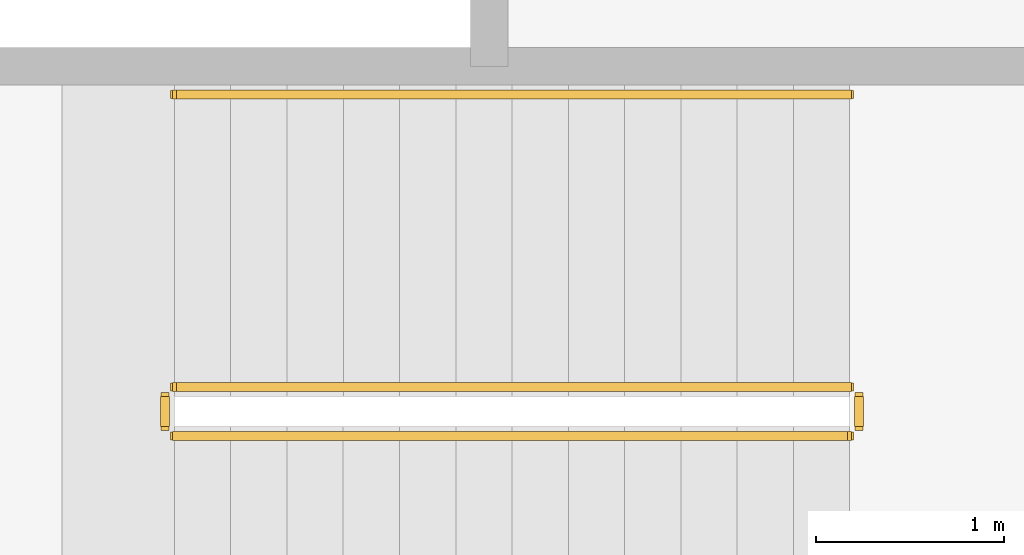
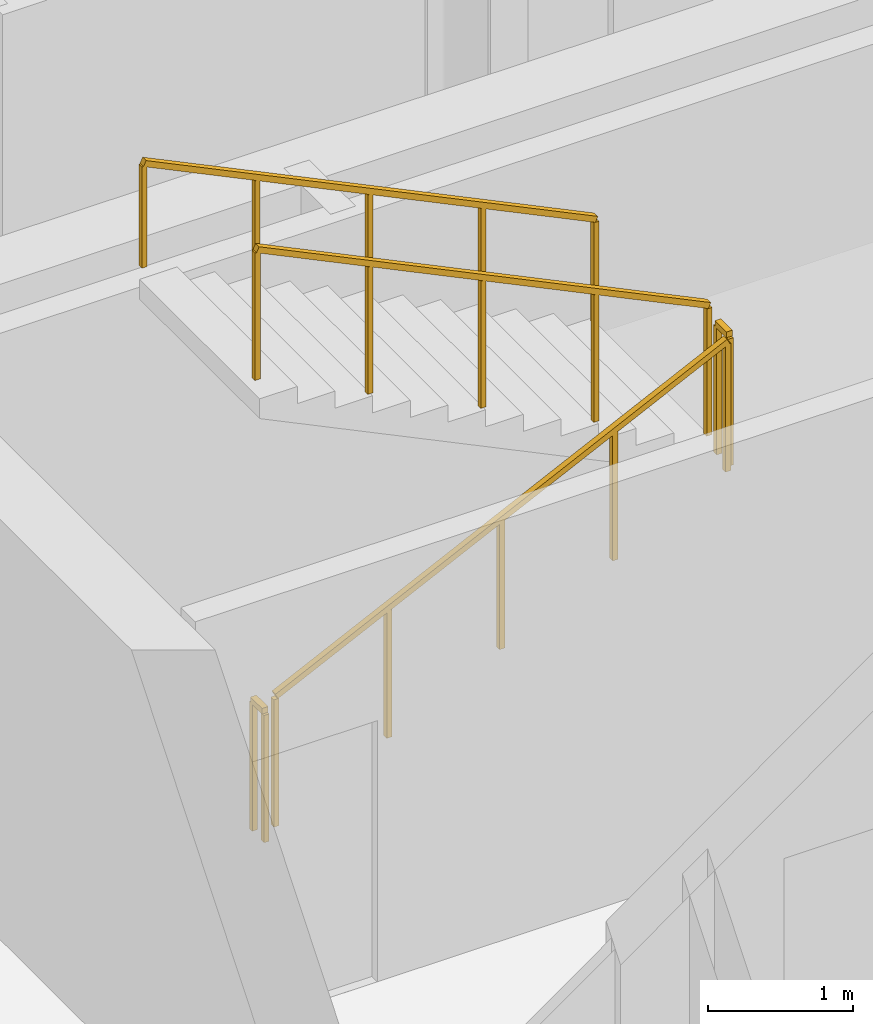
# One storey, part 26 of 28: 5 railings.
"""IFC4 building model written with IfcOpenShell, lengths in metres."""

from ifc_helpers import new_model, si_unit, direction, frame, origin, origin_2d, place, context, subcontext, project, spatial, rectangle, extrude, material, type_object, element, save


model = new_model("IFC4")

# Units and contexts
model_context = context("Model", 3, precision=1e-05, world=origin(), true_north=direction((0.0, 1.0)))
body_context = subcontext(model_context, "Body", "Model", "MODEL_VIEW")
ifc_project = project(units=[si_unit("LENGTHUNIT", "METRE"), si_unit("AREAUNIT", "SQUARE_METRE"), si_unit("VOLUMEUNIT", "CUBIC_METRE"), si_unit("PLANEANGLEUNIT", "RADIAN"), si_unit("MASSUNIT", "GRAM", prefix="KILO"), si_unit("THERMODYNAMICTEMPERATUREUNIT", "KELVIN"), si_unit("POWERUNIT", "WATT")], contexts=[model_context])

# Site, building, storey
site_placement = place(None, origin())
site = spatial("IfcSite", under=ifc_project, at=site_placement, CompositionType="ELEMENT")
building_placement = place(site_placement, origin())
building = spatial("IfcBuilding", under=site, at=building_placement, Name="Svarakhadi Broadcast Tower", CompositionType="ELEMENT")
storey_placement = place(building_placement, frame((0.0, 0.0, 169.199951171875)))
storey = spatial("IfcBuildingStorey", under=building, at=storey_placement, Name="L41", CompositionType="ELEMENT", Elevation=169.199951171875)

# Railings
ifc_material = material(Name="Anodised Bronze Aluminium AA 6063-T6", Category="aluminium")
railing_type_1 = type_object("IfcRailingType", Name="Guard_Stair_GR01", PredefinedType="GUARDRAIL", material=ifc_material)
railing_1_placement = place(storey_placement, frame((7.97998046875, 24.969970703125, 0.144287109375)))
element("IfcRailing", 1, at=railing_1_placement, inside=storey, type_object=railing_type_1, Name="L41 ST-01 stair guard 1", PredefinedType="GUARDRAIL", context=body_context, shape_type="SweptSolid", body=[
    extrude(rectangle(XDim=0.048095703125, YDim=0.048095703125, at=origin_2d()), frame((0.0, 0.0, 1.09619140625), z_axis=(0.901262522062, 0.0, 0.433273431364), x_axis=(0.0, 1.0, 0.0)), (0.0, 0.0, 1.0), 3.994384765625),
    extrude(rectangle(XDim=0.0419921875, YDim=0.0419921875, at=origin_2d()), origin(), (0.0, 0.0, 1.0), 1.072021484375),
    extrude(rectangle(XDim=0.0419921875, YDim=0.0419921875, at=origin_2d()), frame((0.89990234375, 0.0, 0.4326171875)), (0.0, 0.0, 1.0), 1.072021484375),
    extrude(rectangle(XDim=0.0419921875, YDim=0.0419921875, at=origin_2d()), frame((1.800048828125, 0.0, 0.865234375)), (0.0, 0.0, 1.0), 1.072021484375),
    extrude(rectangle(XDim=0.0419921875, YDim=0.0419921875, at=origin_2d()), frame((2.7001953125, 0.0, 1.298095703125)), (0.0, 0.0, 1.0), 1.072021484375),
    extrude(rectangle(XDim=0.0419921875, YDim=0.0419921875, at=origin_2d()), frame((3.60009765625, 0.0, 1.730712890625)), (0.0, 0.0, 1.0), 1.072021484375),
])
railing_2_placement = place(storey_placement, frame((11.6298828125, 25.02001953125, 1.875)))
element("IfcRailing", 2, at=railing_2_placement, inside=storey, type_object=railing_type_1, Name="L41 ST-01 stair guard 2", PredefinedType="GUARDRAIL", context=body_context, shape_type="SweptSolid", body=[
    extrude(rectangle(XDim=0.048095703125, YDim=0.048095703125, at=origin_2d()), frame((0.0, 0.0, 1.09619140625), z_axis=(0.0, 1.0, 0.0), x_axis=(-1.0, 0.0, 0.0)), (0.0, 0.0, 1.0), 0.159912109375),
    extrude(rectangle(XDim=0.0419921875, YDim=0.0419921875, at=origin_2d()), origin(), (0.0, 0.0, 1.0), 1.072021484375),
    extrude(rectangle(XDim=0.0419921875, YDim=0.0419921875, at=origin_2d()), frame((0.0, 0.159912109375, 0.0)), (0.0, 0.0, 1.0), 1.072021484375),
])
railing_3_placement = place(storey_placement, frame((11.580078125, 25.22998046875, 2.019287109375)))
element("IfcRailing", 3, at=railing_3_placement, inside=storey, type_object=railing_type_1, Name="L41 ST-01 stair guard 3", PredefinedType="GUARDRAIL", context=body_context, shape_type="SweptSolid", body=[
    extrude(rectangle(XDim=0.048095703125, YDim=0.048095703125, at=origin_2d()), frame((0.0, 0.0, 1.09619140625), z_axis=(-0.901262522062, 0.0, 0.433273431364), x_axis=(0.0, -1.0, 0.0)), (0.0, 0.0, 1.0), 3.994384765625),
    extrude(rectangle(XDim=0.0419921875, YDim=0.0419921875, at=origin_2d()), origin(), (0.0, 0.0, 1.0), 1.072021484375),
    extrude(rectangle(XDim=0.0419921875, YDim=0.0419921875, at=origin_2d()), frame((-0.89990234375, 0.0, 0.4326171875)), (0.0, 0.0, 1.0), 1.072021484375),
    extrude(rectangle(XDim=0.0419921875, YDim=0.0419921875, at=origin_2d()), frame((-1.800048828125, 0.0, 0.865234375)), (0.0, 0.0, 1.0), 1.072021484375),
    extrude(rectangle(XDim=0.0419921875, YDim=0.0419921875, at=origin_2d()), frame((-2.7001953125, 0.0, 1.298095703125)), (0.0, 0.0, 1.0), 1.072021484375),
    extrude(rectangle(XDim=0.0419921875, YDim=0.0419921875, at=origin_2d()), frame((-3.60009765625, 0.0, 1.730712890625)), (0.0, 0.0, 1.0), 1.072021484375),
])
railing_4_placement = place(storey_placement, frame((7.929931640625, 25.02001953125, 0.0)))
element("IfcRailing", 4, at=railing_4_placement, inside=storey, type_object=railing_type_1, Name="L41 ST-01 stair guard 4", PredefinedType="GUARDRAIL", context=body_context, shape_type="SweptSolid", body=[
    extrude(rectangle(XDim=0.048095703125, YDim=0.048095703125, at=origin_2d()), frame((0.0, 0.0, 1.09619140625), z_axis=(0.0, 1.0, 0.0), x_axis=(-1.0, 0.0, 0.0)), (0.0, 0.0, 1.0), 0.159912109375),
    extrude(rectangle(XDim=0.0419921875, YDim=0.0419921875, at=origin_2d()), origin(), (0.0, 0.0, 1.0), 1.072021484375),
    extrude(rectangle(XDim=0.0419921875, YDim=0.0419921875, at=origin_2d()), frame((0.0, 0.159912109375, 0.0)), (0.0, 0.0, 1.0), 1.072021484375),
])
railing_type_2 = type_object("IfcRailingType", Name="Handrail_Stair_HR01", PredefinedType="HANDRAIL", material=ifc_material)
railing_5_placement = place(storey_placement, frame((11.580078125, 26.7900390625, 2.019287109375)))
element("IfcRailing", 5, at=railing_5_placement, inside=storey, type_object=railing_type_2, Name="L41 ST-01 stair handrail 2", PredefinedType="HANDRAIL", context=body_context, shape_type="SweptSolid", body=[
    extrude(rectangle(XDim=0.048095703125, YDim=0.048095703125, at=origin_2d()), frame((0.0, 0.0, 0.8759765625), z_axis=(-0.901262522062, 0.0, 0.433273431364), x_axis=(0.0, -1.0, 0.0)), (0.0, 0.0, 1.0), 3.994384765625),
    extrude(rectangle(XDim=0.0419921875, YDim=0.0419921875, at=origin_2d()), origin(), (0.0, 0.0, 1.0), 0.851806640625),
    extrude(rectangle(XDim=0.0419921875, YDim=0.0419921875, at=origin_2d()), frame((-0.89990234375, 0.0, 0.4326171875)), (0.0, 0.0, 1.0), 0.851806640625),
    extrude(rectangle(XDim=0.0419921875, YDim=0.0419921875, at=origin_2d()), frame((-1.800048828125, 0.0, 0.865234375)), (0.0, 0.0, 1.0), 0.851806640625),
    extrude(rectangle(XDim=0.0419921875, YDim=0.0419921875, at=origin_2d()), frame((-2.7001953125, 0.0, 1.298095703125)), (0.0, 0.0, 1.0), 0.851806640625),
    extrude(rectangle(XDim=0.0419921875, YDim=0.0419921875, at=origin_2d()), frame((-3.60009765625, 0.0, 1.730712890625)), (0.0, 0.0, 1.0), 0.851806640625),
])

save(model, "model.ifc")
